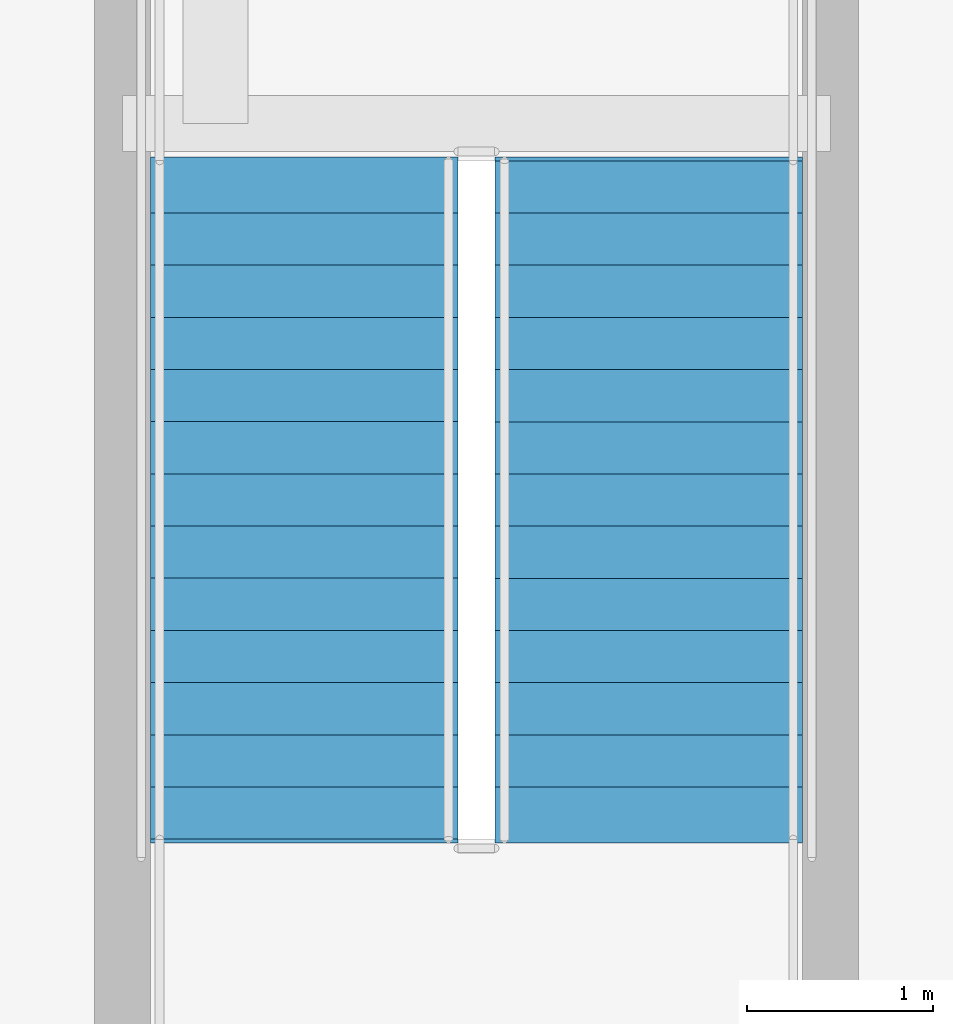
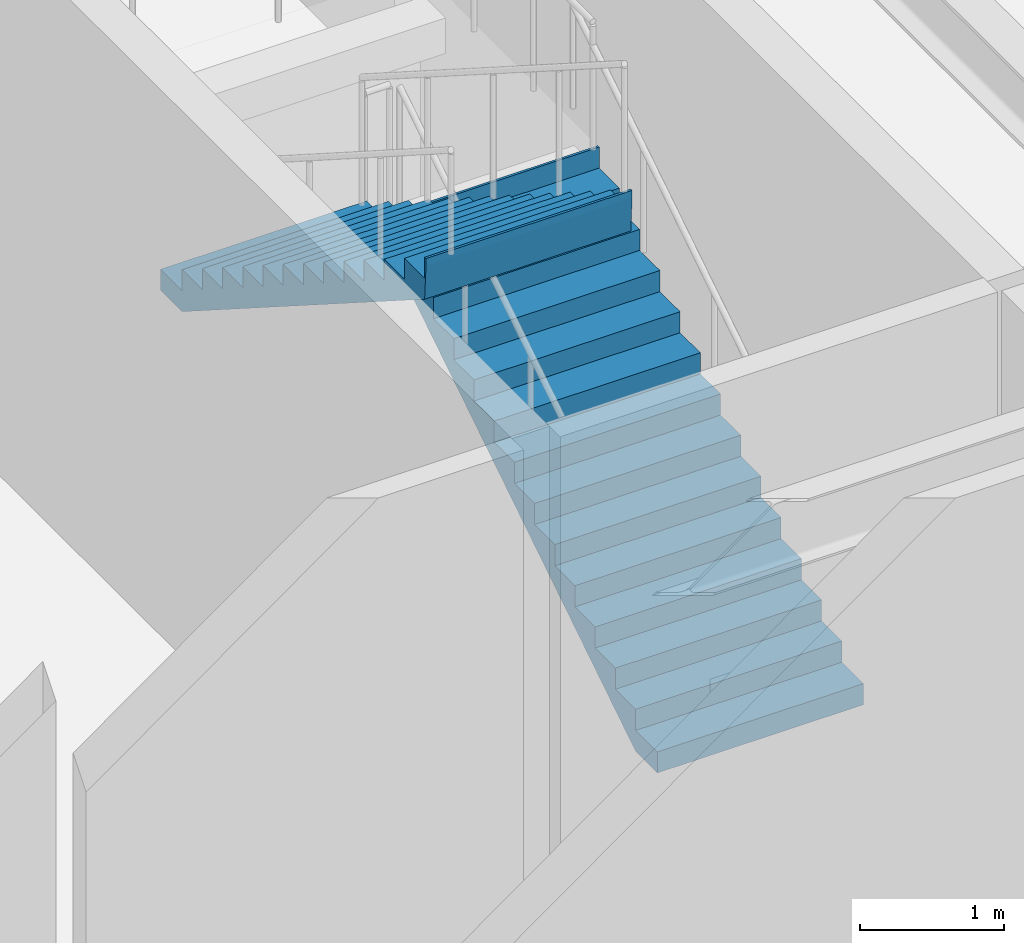
# One storey, part 18 of 20: 2 stair flights, 1 element without a shape of its own.
"""IFC4 building model written with IfcOpenShell, lengths in metres."""

from ifc_helpers import new_model, si_unit, direction, frame, origin, place, context, subcontext, project, spatial, polygons, material, type_object, element, aggregate, save


model = new_model("IFC4")

# Units and contexts
model_context = context("Model", 3, precision=1e-05, world=origin(), true_north=direction((0.0, 1.0)))
body_context = subcontext(model_context, "Body", "Model", "MODEL_VIEW")
ifc_project = project(units=[si_unit("LENGTHUNIT", "METRE"), si_unit("AREAUNIT", "SQUARE_METRE"), si_unit("VOLUMEUNIT", "CUBIC_METRE"), si_unit("PLANEANGLEUNIT", "RADIAN"), si_unit("MASSUNIT", "GRAM", prefix="KILO")], contexts=[model_context])

# Site, building, storey
site_placement = place(None, origin())
site = spatial("IfcSite", under=ifc_project, at=site_placement, CompositionType="ELEMENT")
building_placement = place(site_placement, origin())
building = spatial("IfcBuilding", under=site, at=building_placement, Name="Serunith Strait Residences", CompositionType="ELEMENT")
storey_placement = place(building_placement, frame((0.0, 0.0, 5.5)))
storey = spatial("IfcBuildingStorey", under=building, at=storey_placement, Name="L01", CompositionType="ELEMENT", Elevation=5.5)

# Stair, stair flights
ifc_material = material(Name="Concrete C50/60", Category="concrete")
stair_type = type_object("IfcStairType", Name="STR-POD-4", PredefinedType="HALF_TURN_STAIR", material=ifc_material)
stair_placement = place(storey_placement, origin())
stair = element("IfcStair", 1, at=stair_placement, inside=storey, type_object=stair_type, Name="L01 Podium Escape Stair ST-4", PredefinedType="HALF_TURN_STAIR")
stair_flight_type = type_object("IfcStairFlightType", Name="FLT-POD-4", PredefinedType="STRAIGHT", material=ifc_material)
stair_flight_1_placement = place(storey_placement, frame((49.77490234375, 36.8798828125, 0.0), z_axis=(0.0, 0.0, 1.0), x_axis=(0.0, 1.0, 0.0)))
stair_flight_1 = element("IfcStairFlight", 2, at=stair_flight_1_placement, type_object=stair_flight_type, Name="ST-4 flight 1", NumberOfRisers=14, NumberOfTreads=13, PredefinedType="STRAIGHT", RiserHeight=0.178571429, TreadLength=0.28, context=body_context, shape_type="Tessellation", body=[
    polygons([(-0.02001953125, -0.824951171875, 0.0), (-0.02001953125, -0.824951171875, 0.178466796875), (0.280029296875, -0.824951171875, 0.178466796875), (0.280029296875, -0.824951171875, 0.357177734375), (0.56005859375, -0.824951171875, 0.357177734375), (0.56005859375, -0.824951171875, 0.53564453125), (0.840087890625, -0.824951171875, 0.53564453125), (0.840087890625, -0.824951171875, 0.71435546875), (1.1201171875, -0.824951171875, 0.71435546875), (1.1201171875, -0.824951171875, 0.892822265625), (1.39990234375, -0.824951171875, 0.892822265625), (1.39990234375, -0.824951171875, 1.071533203125), (1.679931640625, -0.824951171875, 1.071533203125), (1.679931640625, -0.824951171875, 1.25), (1.9599609375, -0.824951171875, 1.25), (1.9599609375, -0.824951171875, 1.428466796875), (2.239990234375, -0.824951171875, 1.428466796875), (2.239990234375, -0.824951171875, 1.607177734375), (2.52001953125, -0.824951171875, 1.607177734375), (2.52001953125, -0.824951171875, 1.78564453125), (2.800048828125, -0.824951171875, 1.78564453125), (2.800048828125, -0.824951171875, 1.96435546875), (3.080078125, -0.824951171875, 1.96435546875), (3.080078125, -0.824951171875, 2.142822265625), (3.360107421875, -0.824951171875, 2.142822265625), (3.360107421875, -0.824951171875, 2.321533203125), (3.639892578125, -0.824951171875, 2.321533203125), (3.639892578125, -0.824951171875, 2.5), (3.659912109375, -0.824951171875, 2.5), (3.659912109375, -0.824951171875, 2.43994140625), (3.639892578125, -0.824951171875, 2.1435546875), (0.27880859375, -0.824951171875, 0.0), (-0.02001953125, -0.41259765625, 0.0), (-0.02001953125, -0.41259765625, 0.178466796875), (0.280029296875, -0.41259765625, 0.178466796875), (0.280029296875, -0.41259765625, 0.357177734375), (0.56005859375, -0.41259765625, 0.357177734375), (0.56005859375, -0.41259765625, 0.53564453125), (0.840087890625, -0.41259765625, 0.53564453125), (0.840087890625, -0.41259765625, 0.71435546875), (1.1201171875, -0.41259765625, 0.71435546875), (1.1201171875, -0.41259765625, 0.892822265625), (1.39990234375, -0.41259765625, 0.892822265625), (1.39990234375, -0.41259765625, 1.071533203125), (1.679931640625, -0.41259765625, 1.071533203125), (1.679931640625, -0.41259765625, 1.25), (1.9599609375, -0.41259765625, 1.25), (1.9599609375, -0.41259765625, 1.428466796875), (2.239990234375, -0.41259765625, 1.428466796875), (2.239990234375, -0.41259765625, 1.607177734375), (2.52001953125, -0.41259765625, 1.607177734375), (2.52001953125, -0.41259765625, 1.78564453125), (2.800048828125, -0.41259765625, 1.78564453125), (2.800048828125, -0.41259765625, 1.96435546875), (3.080078125, -0.41259765625, 1.96435546875), (3.080078125, -0.41259765625, 2.142822265625), (3.360107421875, -0.41259765625, 2.142822265625), (3.360107421875, -0.41259765625, 2.321533203125), (3.639892578125, -0.41259765625, 2.321533203125), (3.639892578125, -0.41259765625, 2.5), (3.659912109375, -0.41259765625, 2.5), (3.659912109375, -0.41259765625, 2.43994140625), (3.639892578125, -0.41259765625, 2.1435546875), (0.27880859375, -0.41259765625, 0.0), (-0.02001953125, 0.0, 0.0), (-0.02001953125, 0.0, 0.178466796875), (0.280029296875, 0.0, 0.178466796875), (0.280029296875, 0.0, 0.357177734375), (0.56005859375, 0.0, 0.357177734375), (0.56005859375, 0.0, 0.53564453125), (0.840087890625, 0.0, 0.53564453125), (0.840087890625, 0.0, 0.71435546875), (1.1201171875, 0.0, 0.71435546875), (1.1201171875, 0.0, 0.892822265625), (1.39990234375, 0.0, 0.892822265625), (1.39990234375, 0.0, 1.071533203125), (1.679931640625, 0.0, 1.071533203125), (1.679931640625, 0.0, 1.25), (1.9599609375, 0.0, 1.25), (1.9599609375, 0.0, 1.428466796875), (2.239990234375, 0.0, 1.428466796875), (2.239990234375, 0.0, 1.607177734375), (2.52001953125, 0.0, 1.607177734375), (2.52001953125, 0.0, 1.78564453125), (2.800048828125, 0.0, 1.78564453125), (2.800048828125, 0.0, 1.96435546875), (3.080078125, 0.0, 1.96435546875), (3.080078125, 0.0, 2.142822265625), (3.360107421875, 0.0, 2.142822265625), (3.360107421875, 0.0, 2.321533203125), (3.639892578125, 0.0, 2.321533203125), (3.639892578125, 0.0, 2.5), (3.659912109375, 0.0, 2.5), (3.659912109375, 0.0, 2.43994140625), (3.639892578125, 0.0, 2.1435546875), (0.27880859375, 0.0, 0.0), (-0.02001953125, 0.41259765625, 0.0), (-0.02001953125, 0.41259765625, 0.178466796875), (0.280029296875, 0.41259765625, 0.178466796875), (0.280029296875, 0.41259765625, 0.357177734375), (0.56005859375, 0.41259765625, 0.357177734375), (0.56005859375, 0.41259765625, 0.53564453125), (0.840087890625, 0.41259765625, 0.53564453125), (0.840087890625, 0.41259765625, 0.71435546875), (1.1201171875, 0.41259765625, 0.71435546875), (1.1201171875, 0.41259765625, 0.892822265625), (1.39990234375, 0.41259765625, 0.892822265625), (1.39990234375, 0.41259765625, 1.071533203125), (1.679931640625, 0.41259765625, 1.071533203125), (1.679931640625, 0.41259765625, 1.25), (1.9599609375, 0.41259765625, 1.25), (1.9599609375, 0.41259765625, 1.428466796875), (2.239990234375, 0.41259765625, 1.428466796875), (2.239990234375, 0.41259765625, 1.607177734375), (2.52001953125, 0.41259765625, 1.607177734375), (2.52001953125, 0.41259765625, 1.78564453125), (2.800048828125, 0.41259765625, 1.78564453125), (2.800048828125, 0.41259765625, 1.96435546875), (3.080078125, 0.41259765625, 1.96435546875), (3.080078125, 0.41259765625, 2.142822265625), (3.360107421875, 0.41259765625, 2.142822265625), (3.360107421875, 0.41259765625, 2.321533203125), (3.639892578125, 0.41259765625, 2.321533203125), (3.639892578125, 0.41259765625, 2.5), (3.659912109375, 0.41259765625, 2.5), (3.659912109375, 0.41259765625, 2.43994140625), (3.639892578125, 0.41259765625, 2.1435546875), (0.27880859375, 0.41259765625, 0.0), (-0.02001953125, 0.824951171875, 0.0), (-0.02001953125, 0.824951171875, 0.178466796875), (0.280029296875, 0.824951171875, 0.178466796875), (0.280029296875, 0.824951171875, 0.357177734375), (0.56005859375, 0.824951171875, 0.357177734375), (0.56005859375, 0.824951171875, 0.53564453125), (0.840087890625, 0.824951171875, 0.53564453125), (0.840087890625, 0.824951171875, 0.71435546875), (1.1201171875, 0.824951171875, 0.71435546875), (1.1201171875, 0.824951171875, 0.892822265625), (1.39990234375, 0.824951171875, 0.892822265625), (1.39990234375, 0.824951171875, 1.071533203125), (1.679931640625, 0.824951171875, 1.071533203125), (1.679931640625, 0.824951171875, 1.25), (1.9599609375, 0.824951171875, 1.25), (1.9599609375, 0.824951171875, 1.428466796875), (2.239990234375, 0.824951171875, 1.428466796875), (2.239990234375, 0.824951171875, 1.607177734375), (2.52001953125, 0.824951171875, 1.607177734375), (2.52001953125, 0.824951171875, 1.78564453125), (2.800048828125, 0.824951171875, 1.78564453125), (2.800048828125, 0.824951171875, 1.96435546875), (3.080078125, 0.824951171875, 1.96435546875), (3.080078125, 0.824951171875, 2.142822265625), (3.360107421875, 0.824951171875, 2.142822265625), (3.360107421875, 0.824951171875, 2.321533203125), (3.639892578125, 0.824951171875, 2.321533203125), (3.639892578125, 0.824951171875, 2.5), (3.659912109375, 0.824951171875, 2.5), (3.659912109375, 0.824951171875, 2.43994140625), (3.639892578125, 0.824951171875, 2.1435546875), (0.27880859375, 0.824951171875, 0.0)], [[[1, 2, 34, 33]], [[2, 3, 35, 34]], [[3, 4, 36, 35]], [[4, 5, 37, 36]], [[5, 6, 38, 37]], [[6, 7, 39, 38]], [[7, 8, 40, 39]], [[8, 9, 41, 40]], [[9, 10, 42, 41]], [[10, 11, 43, 42]], [[11, 12, 44, 43]], [[12, 13, 45, 44]], [[13, 14, 46, 45]], [[14, 15, 47, 46]], [[15, 16, 48, 47]], [[16, 17, 49, 48]], [[17, 18, 50, 49]], [[18, 19, 51, 50]], [[19, 20, 52, 51]], [[20, 21, 53, 52]], [[21, 22, 54, 53]], [[22, 23, 55, 54]], [[23, 24, 56, 55]], [[24, 25, 57, 56]], [[25, 26, 58, 57]], [[26, 27, 59, 58]], [[27, 28, 60, 59]], [[28, 29, 61, 60]], [[29, 30, 62, 61]], [[30, 31, 63, 62]], [[31, 32, 64, 63]], [[32, 1, 33, 64]], [[33, 34, 66, 65]], [[34, 35, 67, 66]], [[35, 36, 68, 67]], [[36, 37, 69, 68]], [[37, 38, 70, 69]], [[38, 39, 71, 70]], [[39, 40, 72, 71]], [[40, 41, 73, 72]], [[41, 42, 74, 73]], [[42, 43, 75, 74]], [[43, 44, 76, 75]], [[44, 45, 77, 76]], [[45, 46, 78, 77]], [[46, 47, 79, 78]], [[47, 48, 80, 79]], [[48, 49, 81, 80]], [[49, 50, 82, 81]], [[50, 51, 83, 82]], [[51, 52, 84, 83]], [[52, 53, 85, 84]], [[53, 54, 86, 85]], [[54, 55, 87, 86]], [[55, 56, 88, 87]], [[56, 57, 89, 88]], [[57, 58, 90, 89]], [[58, 59, 91, 90]], [[59, 60, 92, 91]], [[60, 61, 93, 92]], [[61, 62, 94, 93]], [[62, 63, 95, 94]], [[63, 64, 96, 95]], [[64, 33, 65, 96]], [[65, 66, 98, 97]], [[66, 67, 99, 98]], [[67, 68, 100, 99]], [[68, 69, 101, 100]], [[69, 70, 102, 101]], [[70, 71, 103, 102]], [[71, 72, 104, 103]], [[72, 73, 105, 104]], [[73, 74, 106, 105]], [[74, 75, 107, 106]], [[75, 76, 108, 107]], [[76, 77, 109, 108]], [[77, 78, 110, 109]], [[78, 79, 111, 110]], [[79, 80, 112, 111]], [[80, 81, 113, 112]], [[81, 82, 114, 113]], [[82, 83, 115, 114]], [[83, 84, 116, 115]], [[84, 85, 117, 116]], [[85, 86, 118, 117]], [[86, 87, 119, 118]], [[87, 88, 120, 119]], [[88, 89, 121, 120]], [[89, 90, 122, 121]], [[90, 91, 123, 122]], [[91, 92, 124, 123]], [[92, 93, 125, 124]], [[93, 94, 126, 125]], [[94, 95, 127, 126]], [[95, 96, 128, 127]], [[96, 65, 97, 128]], [[97, 98, 130, 129]], [[98, 99, 131, 130]], [[99, 100, 132, 131]], [[100, 101, 133, 132]], [[101, 102, 134, 133]], [[102, 103, 135, 134]], [[103, 104, 136, 135]], [[104, 105, 137, 136]], [[105, 106, 138, 137]], [[106, 107, 139, 138]], [[107, 108, 140, 139]], [[108, 109, 141, 140]], [[109, 110, 142, 141]], [[110, 111, 143, 142]], [[111, 112, 144, 143]], [[112, 113, 145, 144]], [[113, 114, 146, 145]], [[114, 115, 147, 146]], [[115, 116, 148, 147]], [[116, 117, 149, 148]], [[117, 118, 150, 149]], [[118, 119, 151, 150]], [[119, 120, 152, 151]], [[120, 121, 153, 152]], [[121, 122, 154, 153]], [[122, 123, 155, 154]], [[123, 124, 156, 155]], [[124, 125, 157, 156]], [[125, 126, 158, 157]], [[126, 127, 159, 158]], [[127, 128, 160, 159]], [[128, 97, 129, 160]], [[32, 31, 30, 29, 28, 27, 26, 25, 24, 23, 22, 21, 20, 19, 18, 17, 16, 15, 14, 13, 12, 11, 10, 9, 8, 7, 6, 5, 4, 3, 2, 1]], [[129, 130, 131, 132, 133, 134, 135, 136, 137, 138, 139, 140, 141, 142, 143, 144, 145, 146, 147, 148, 149, 150, 151, 152, 153, 154, 155, 156, 157, 158, 159, 160]]], closed=True),
])
stair_flight_2_placement = place(storey_placement, frame((47.925048828125, 40.52001953125, 2.5), z_axis=(0.0, 0.0, 1.0), x_axis=(0.0, -1.0, 0.0)))
stair_flight_2 = element("IfcStairFlight", 3, at=stair_flight_2_placement, type_object=stair_flight_type, Name="ST-4 flight 2", NumberOfRisers=14, NumberOfTreads=13, PredefinedType="STRAIGHT", RiserHeight=0.178571429, TreadLength=0.28, context=body_context, shape_type="Tessellation", body=[
    polygons([(-0.02001953125, -0.824951171875, 0.0), (-0.02001953125, -0.824951171875, 0.178466796875), (0.280029296875, -0.824951171875, 0.178466796875), (0.280029296875, -0.824951171875, 0.357177734375), (0.56005859375, -0.824951171875, 0.357177734375), (0.56005859375, -0.824951171875, 0.53564453125), (0.840087890625, -0.824951171875, 0.53564453125), (0.840087890625, -0.824951171875, 0.71435546875), (1.1201171875, -0.824951171875, 0.71435546875), (1.1201171875, -0.824951171875, 0.892822265625), (1.39990234375, -0.824951171875, 0.892822265625), (1.39990234375, -0.824951171875, 1.071533203125), (1.679931640625, -0.824951171875, 1.071533203125), (1.679931640625, -0.824951171875, 1.25), (1.9599609375, -0.824951171875, 1.25), (1.9599609375, -0.824951171875, 1.428466796875), (2.239990234375, -0.824951171875, 1.428466796875), (2.239990234375, -0.824951171875, 1.607177734375), (2.52001953125, -0.824951171875, 1.607177734375), (2.52001953125, -0.824951171875, 1.78564453125), (2.800048828125, -0.824951171875, 1.78564453125), (2.800048828125, -0.824951171875, 1.96435546875), (3.080078125, -0.824951171875, 1.96435546875), (3.080078125, -0.824951171875, 2.142822265625), (3.360107421875, -0.824951171875, 2.142822265625), (3.360107421875, -0.824951171875, 2.321533203125), (3.639892578125, -0.824951171875, 2.321533203125), (3.639892578125, -0.824951171875, 2.5), (3.659912109375, -0.824951171875, 2.5), (3.659912109375, -0.824951171875, 2.43994140625), (3.639892578125, -0.824951171875, 2.1435546875), (0.27880859375, -0.824951171875, 0.0), (-0.02001953125, -0.41259765625, 0.0), (-0.02001953125, -0.41259765625, 0.178466796875), (0.280029296875, -0.41259765625, 0.178466796875), (0.280029296875, -0.41259765625, 0.357177734375), (0.56005859375, -0.41259765625, 0.357177734375), (0.56005859375, -0.41259765625, 0.53564453125), (0.840087890625, -0.41259765625, 0.53564453125), (0.840087890625, -0.41259765625, 0.71435546875), (1.1201171875, -0.41259765625, 0.71435546875), (1.1201171875, -0.41259765625, 0.892822265625), (1.39990234375, -0.41259765625, 0.892822265625), (1.39990234375, -0.41259765625, 1.071533203125), (1.679931640625, -0.41259765625, 1.071533203125), (1.679931640625, -0.41259765625, 1.25), (1.9599609375, -0.41259765625, 1.25), (1.9599609375, -0.41259765625, 1.428466796875), (2.239990234375, -0.41259765625, 1.428466796875), (2.239990234375, -0.41259765625, 1.607177734375), (2.52001953125, -0.41259765625, 1.607177734375), (2.52001953125, -0.41259765625, 1.78564453125), (2.800048828125, -0.41259765625, 1.78564453125), (2.800048828125, -0.41259765625, 1.96435546875), (3.080078125, -0.41259765625, 1.96435546875), (3.080078125, -0.41259765625, 2.142822265625), (3.360107421875, -0.41259765625, 2.142822265625), (3.360107421875, -0.41259765625, 2.321533203125), (3.639892578125, -0.41259765625, 2.321533203125), (3.639892578125, -0.41259765625, 2.5), (3.659912109375, -0.41259765625, 2.5), (3.659912109375, -0.41259765625, 2.43994140625), (3.639892578125, -0.41259765625, 2.1435546875), (0.27880859375, -0.41259765625, 0.0), (-0.02001953125, 0.0, 0.0), (-0.02001953125, 0.0, 0.178466796875), (0.280029296875, 0.0, 0.178466796875), (0.280029296875, 0.0, 0.357177734375), (0.56005859375, 0.0, 0.357177734375), (0.56005859375, 0.0, 0.53564453125), (0.840087890625, 0.0, 0.53564453125), (0.840087890625, 0.0, 0.71435546875), (1.1201171875, 0.0, 0.71435546875), (1.1201171875, 0.0, 0.892822265625), (1.39990234375, 0.0, 0.892822265625), (1.39990234375, 0.0, 1.071533203125), (1.679931640625, 0.0, 1.071533203125), (1.679931640625, 0.0, 1.25), (1.9599609375, 0.0, 1.25), (1.9599609375, 0.0, 1.428466796875), (2.239990234375, 0.0, 1.428466796875), (2.239990234375, 0.0, 1.607177734375), (2.52001953125, 0.0, 1.607177734375), (2.52001953125, 0.0, 1.78564453125), (2.800048828125, 0.0, 1.78564453125), (2.800048828125, 0.0, 1.96435546875), (3.080078125, 0.0, 1.96435546875), (3.080078125, 0.0, 2.142822265625), (3.360107421875, 0.0, 2.142822265625), (3.360107421875, 0.0, 2.321533203125), (3.639892578125, 0.0, 2.321533203125), (3.639892578125, 0.0, 2.5), (3.659912109375, 0.0, 2.5), (3.659912109375, 0.0, 2.43994140625), (3.639892578125, 0.0, 2.1435546875), (0.27880859375, 0.0, 0.0), (-0.02001953125, 0.41259765625, 0.0), (-0.02001953125, 0.41259765625, 0.178466796875), (0.280029296875, 0.41259765625, 0.178466796875), (0.280029296875, 0.41259765625, 0.357177734375), (0.56005859375, 0.41259765625, 0.357177734375), (0.56005859375, 0.41259765625, 0.53564453125), (0.840087890625, 0.41259765625, 0.53564453125), (0.840087890625, 0.41259765625, 0.71435546875), (1.1201171875, 0.41259765625, 0.71435546875), (1.1201171875, 0.41259765625, 0.892822265625), (1.39990234375, 0.41259765625, 0.892822265625), (1.39990234375, 0.41259765625, 1.071533203125), (1.679931640625, 0.41259765625, 1.071533203125), (1.679931640625, 0.41259765625, 1.25), (1.9599609375, 0.41259765625, 1.25), (1.9599609375, 0.41259765625, 1.428466796875), (2.239990234375, 0.41259765625, 1.428466796875), (2.239990234375, 0.41259765625, 1.607177734375), (2.52001953125, 0.41259765625, 1.607177734375), (2.52001953125, 0.41259765625, 1.78564453125), (2.800048828125, 0.41259765625, 1.78564453125), (2.800048828125, 0.41259765625, 1.96435546875), (3.080078125, 0.41259765625, 1.96435546875), (3.080078125, 0.41259765625, 2.142822265625), (3.360107421875, 0.41259765625, 2.142822265625), (3.360107421875, 0.41259765625, 2.321533203125), (3.639892578125, 0.41259765625, 2.321533203125), (3.639892578125, 0.41259765625, 2.5), (3.659912109375, 0.41259765625, 2.5), (3.659912109375, 0.41259765625, 2.43994140625), (3.639892578125, 0.41259765625, 2.1435546875), (0.27880859375, 0.41259765625, 0.0), (-0.02001953125, 0.824951171875, 0.0), (-0.02001953125, 0.824951171875, 0.178466796875), (0.280029296875, 0.824951171875, 0.178466796875), (0.280029296875, 0.824951171875, 0.357177734375), (0.56005859375, 0.824951171875, 0.357177734375), (0.56005859375, 0.824951171875, 0.53564453125), (0.840087890625, 0.824951171875, 0.53564453125), (0.840087890625, 0.824951171875, 0.71435546875), (1.1201171875, 0.824951171875, 0.71435546875), (1.1201171875, 0.824951171875, 0.892822265625), (1.39990234375, 0.824951171875, 0.892822265625), (1.39990234375, 0.824951171875, 1.071533203125), (1.679931640625, 0.824951171875, 1.071533203125), (1.679931640625, 0.824951171875, 1.25), (1.9599609375, 0.824951171875, 1.25), (1.9599609375, 0.824951171875, 1.428466796875), (2.239990234375, 0.824951171875, 1.428466796875), (2.239990234375, 0.824951171875, 1.607177734375), (2.52001953125, 0.824951171875, 1.607177734375), (2.52001953125, 0.824951171875, 1.78564453125), (2.800048828125, 0.824951171875, 1.78564453125), (2.800048828125, 0.824951171875, 1.96435546875), (3.080078125, 0.824951171875, 1.96435546875), (3.080078125, 0.824951171875, 2.142822265625), (3.360107421875, 0.824951171875, 2.142822265625), (3.360107421875, 0.824951171875, 2.321533203125), (3.639892578125, 0.824951171875, 2.321533203125), (3.639892578125, 0.824951171875, 2.5), (3.659912109375, 0.824951171875, 2.5), (3.659912109375, 0.824951171875, 2.43994140625), (3.639892578125, 0.824951171875, 2.1435546875), (0.27880859375, 0.824951171875, 0.0)], [[[1, 2, 34, 33]], [[2, 3, 35, 34]], [[3, 4, 36, 35]], [[4, 5, 37, 36]], [[5, 6, 38, 37]], [[6, 7, 39, 38]], [[7, 8, 40, 39]], [[8, 9, 41, 40]], [[9, 10, 42, 41]], [[10, 11, 43, 42]], [[11, 12, 44, 43]], [[12, 13, 45, 44]], [[13, 14, 46, 45]], [[14, 15, 47, 46]], [[15, 16, 48, 47]], [[16, 17, 49, 48]], [[17, 18, 50, 49]], [[18, 19, 51, 50]], [[19, 20, 52, 51]], [[20, 21, 53, 52]], [[21, 22, 54, 53]], [[22, 23, 55, 54]], [[23, 24, 56, 55]], [[24, 25, 57, 56]], [[25, 26, 58, 57]], [[26, 27, 59, 58]], [[27, 28, 60, 59]], [[28, 29, 61, 60]], [[29, 30, 62, 61]], [[30, 31, 63, 62]], [[31, 32, 64, 63]], [[32, 1, 33, 64]], [[33, 34, 66, 65]], [[34, 35, 67, 66]], [[35, 36, 68, 67]], [[36, 37, 69, 68]], [[37, 38, 70, 69]], [[38, 39, 71, 70]], [[39, 40, 72, 71]], [[40, 41, 73, 72]], [[41, 42, 74, 73]], [[42, 43, 75, 74]], [[43, 44, 76, 75]], [[44, 45, 77, 76]], [[45, 46, 78, 77]], [[46, 47, 79, 78]], [[47, 48, 80, 79]], [[48, 49, 81, 80]], [[49, 50, 82, 81]], [[50, 51, 83, 82]], [[51, 52, 84, 83]], [[52, 53, 85, 84]], [[53, 54, 86, 85]], [[54, 55, 87, 86]], [[55, 56, 88, 87]], [[56, 57, 89, 88]], [[57, 58, 90, 89]], [[58, 59, 91, 90]], [[59, 60, 92, 91]], [[60, 61, 93, 92]], [[61, 62, 94, 93]], [[62, 63, 95, 94]], [[63, 64, 96, 95]], [[64, 33, 65, 96]], [[65, 66, 98, 97]], [[66, 67, 99, 98]], [[67, 68, 100, 99]], [[68, 69, 101, 100]], [[69, 70, 102, 101]], [[70, 71, 103, 102]], [[71, 72, 104, 103]], [[72, 73, 105, 104]], [[73, 74, 106, 105]], [[74, 75, 107, 106]], [[75, 76, 108, 107]], [[76, 77, 109, 108]], [[77, 78, 110, 109]], [[78, 79, 111, 110]], [[79, 80, 112, 111]], [[80, 81, 113, 112]], [[81, 82, 114, 113]], [[82, 83, 115, 114]], [[83, 84, 116, 115]], [[84, 85, 117, 116]], [[85, 86, 118, 117]], [[86, 87, 119, 118]], [[87, 88, 120, 119]], [[88, 89, 121, 120]], [[89, 90, 122, 121]], [[90, 91, 123, 122]], [[91, 92, 124, 123]], [[92, 93, 125, 124]], [[93, 94, 126, 125]], [[94, 95, 127, 126]], [[95, 96, 128, 127]], [[96, 65, 97, 128]], [[97, 98, 130, 129]], [[98, 99, 131, 130]], [[99, 100, 132, 131]], [[100, 101, 133, 132]], [[101, 102, 134, 133]], [[102, 103, 135, 134]], [[103, 104, 136, 135]], [[104, 105, 137, 136]], [[105, 106, 138, 137]], [[106, 107, 139, 138]], [[107, 108, 140, 139]], [[108, 109, 141, 140]], [[109, 110, 142, 141]], [[110, 111, 143, 142]], [[111, 112, 144, 143]], [[112, 113, 145, 144]], [[113, 114, 146, 145]], [[114, 115, 147, 146]], [[115, 116, 148, 147]], [[116, 117, 149, 148]], [[117, 118, 150, 149]], [[118, 119, 151, 150]], [[119, 120, 152, 151]], [[120, 121, 153, 152]], [[121, 122, 154, 153]], [[122, 123, 155, 154]], [[123, 124, 156, 155]], [[124, 125, 157, 156]], [[125, 126, 158, 157]], [[126, 127, 159, 158]], [[127, 128, 160, 159]], [[128, 97, 129, 160]], [[32, 31, 30, 29, 28, 27, 26, 25, 24, 23, 22, 21, 20, 19, 18, 17, 16, 15, 14, 13, 12, 11, 10, 9, 8, 7, 6, 5, 4, 3, 2, 1]], [[129, 130, 131, 132, 133, 134, 135, 136, 137, 138, 139, 140, 141, 142, 143, 144, 145, 146, 147, 148, 149, 150, 151, 152, 153, 154, 155, 156, 157, 158, 159, 160]]], closed=True),
])
aggregate(stair, [stair_flight_1, stair_flight_2])

save(model, "model.ifc")
